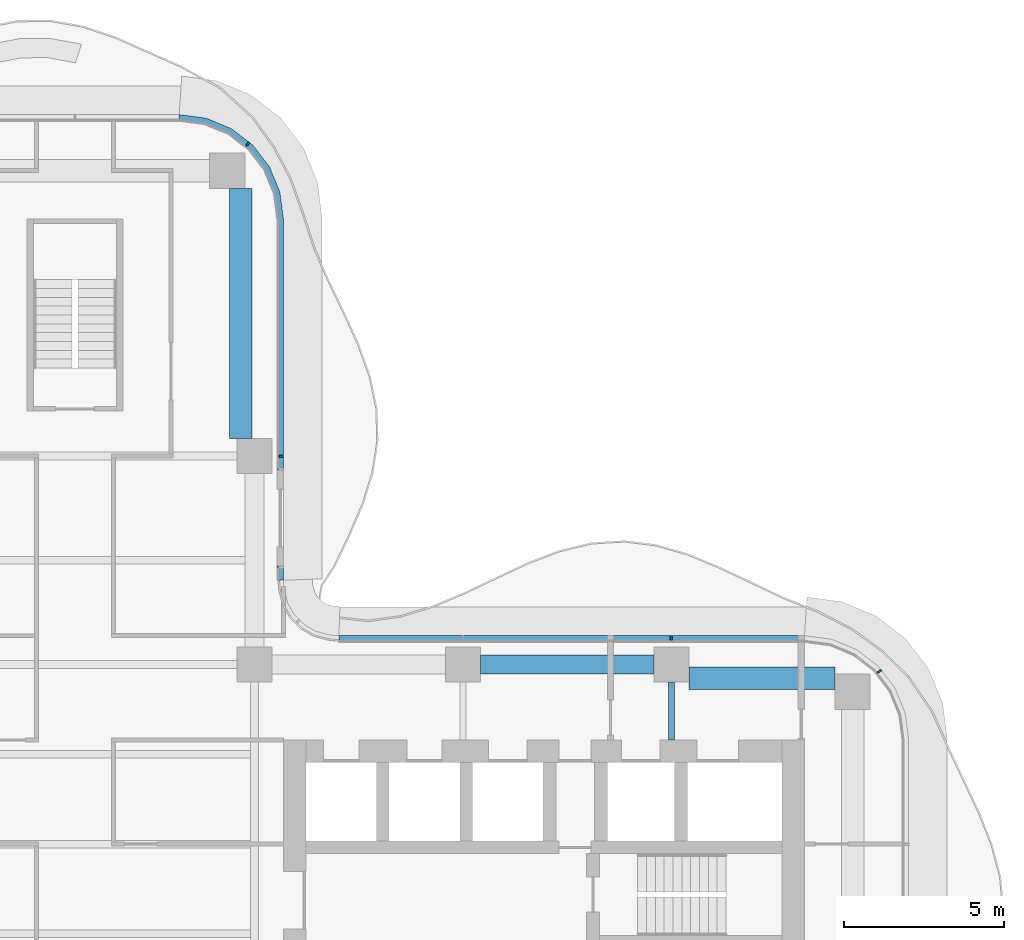
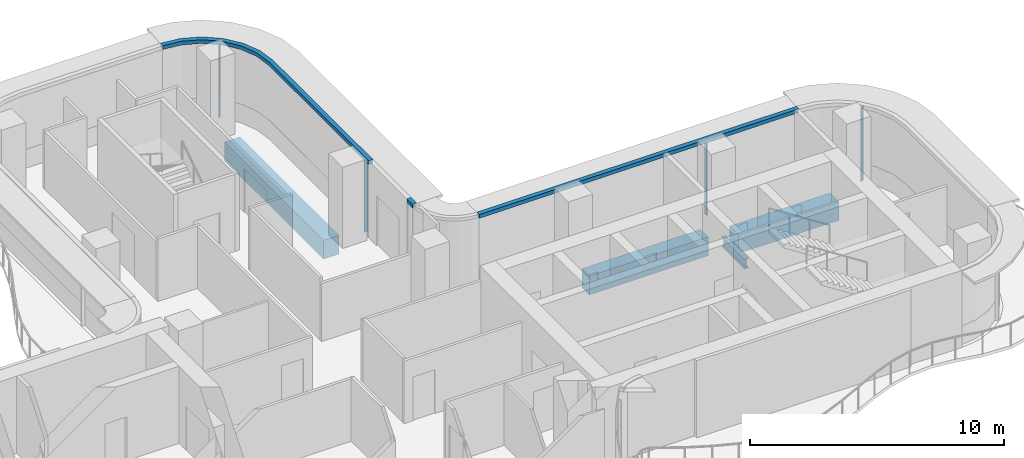
# One storey, part 9 of 18: 7 members, 4 beams, 4 elements without a shape of their own.
"""IFC4 building model written with IfcOpenShell, lengths in metres."""

from ifc_helpers import new_model, si_unit, direction, frame, origin, origin_2d, place, context, subcontext, project, spatial, polyline, rectangle, i_section, outline, extrude, source, transform, mapped, material, layer, layer_set, material_profile, profile_set, type_object, element, aggregate, save


model = new_model("IFC4")

# Units and contexts
model_context = context("Model", 3, precision=1e-05, world=origin(), true_north=direction((0.0, 1.0)))
body_context = subcontext(model_context, "Body", "Model", "MODEL_VIEW")
ifc_project = project(units=[si_unit("LENGTHUNIT", "METRE"), si_unit("AREAUNIT", "SQUARE_METRE"), si_unit("VOLUMEUNIT", "CUBIC_METRE"), si_unit("PLANEANGLEUNIT", "RADIAN"), si_unit("MASSUNIT", "GRAM", prefix="KILO")], contexts=[model_context])

# Site, building, storey
site_placement = place(None, origin())
site = spatial("IfcSite", under=ifc_project, at=site_placement, CompositionType="ELEMENT")
building_placement = place(site_placement, origin())
building = spatial("IfcBuilding", under=site, at=building_placement, Name="Trellis Farm Tower", CompositionType="ELEMENT")
storey_placement = place(building_placement, frame((0.0, 0.0, 224.60009765625)))
storey = spatial("IfcBuildingStorey", under=building, at=storey_placement, Name="L49", CompositionType="ELEMENT", Elevation=224.60009765625)

# Beams
ifc_material_1 = material(Name="Steel S355", Category="steel")
ifc_material_profile_1 = material_profile(ifc_material_1, i_section(OverallWidth=0.1904296875, OverallDepth=0.45703125, WebThickness=0.009033203125, FlangeThickness=0.014404296875, FilletRadius=0.01025390625, at=origin_2d()), Name="UB 457x191x74")
ifc_profile_set_1 = profile_set([ifc_material_profile_1], Name="Steel S355")
beam_type_1 = type_object("IfcBeamType", Name="UB 457x191x74", PredefinedType="BEAM", material=ifc_profile_set_1)
shared_shape_1 = source(origin(), body_context, "Body", "SweptSolid", [
    extrude(i_section(OverallWidth=0.1904296875, OverallDepth=0.45703125, WebThickness=0.009033203125, FlangeThickness=0.014404296875, FilletRadius=0.01025390625, at=origin_2d()), origin(), (0.0, 0.0, 1.0), 1.800048828125),
])
beam_1_placement = place(storey_placement, frame((18.60009765625, 3.25, -0.4287109375), z_axis=(0.0, 1.0, 0.0), x_axis=(-1.0, 0.0, 0.0)))
element("IfcBeam", 1, at=beam_1_placement, inside=storey, type_object=beam_type_1, Name="Girder", PredefinedType="BEAM", context=body_context, shape_type="MappedRepresentation", body=[
    mapped(shared_shape_1, transform((0.0, 0.0, 0.0))),
])
ifc_material_2 = material(Name="Concrete C60/75", Category="concrete")
ifc_material_profile_2 = material_profile(ifc_material_2, rectangle(XDim=0.60009765625, YDim=0.89990234375, at=origin_2d()), Name="RC spandrel beam 600x900 C60/75")
ifc_profile_set_2 = profile_set([ifc_material_profile_2], Name="Concrete C60/75")
beam_type_2 = type_object("IfcBeamType", Name="RC spandrel beam 600x900 C60/75", PredefinedType="SPANDREL", material=ifc_profile_set_2)
shared_shape_2 = source(origin(), body_context, "Body", "SweptSolid", [
    extrude(rectangle(XDim=0.60009765625, YDim=0.89990234375, at=origin_2d()), origin(), (0.0, 0.0, 1.0), 5.400146484375),
])
beam_2_placement = place(storey_placement, frame((12.64990234375, 5.60009765625, -0.650146484375), z_axis=(1.0, 0.0, 0.0), x_axis=(0.0, 1.0, 0.0)))
element("IfcBeam", 2, at=beam_2_placement, inside=storey, type_object=beam_type_2, Name="Girder", PredefinedType="SPANDREL", context=body_context, shape_type="MappedRepresentation", body=[
    mapped(shared_shape_2, transform((0.0, 0.0, 0.0))),
])
ifc_material_profile_3 = material_profile(ifc_material_2, rectangle(XDim=0.699951171875, YDim=0.89990234375, at=origin_2d()), Name="RC spandrel beam 700x900 C60/75")
ifc_profile_set_3 = profile_set([ifc_material_profile_3], Name="Concrete C60/75")
beam_type_3 = type_object("IfcBeamType", Name="RC spandrel beam 700x900 C60/75", PredefinedType="SPANDREL", material=ifc_profile_set_3)
shared_shape_3 = source(origin(), body_context, "Body", "SweptSolid", [
    extrude(rectangle(XDim=0.699951171875, YDim=0.89990234375, at=origin_2d()), origin(), (0.0, 0.0, 1.0), 4.550048828125),
])
beam_3_placement = place(storey_placement, frame((19.14990234375, 5.175048828125, -0.650146484375), z_axis=(1.0, 0.0, 0.0), x_axis=(0.0, 1.0, 0.0)))
element("IfcBeam", 3, at=beam_3_placement, inside=storey, type_object=beam_type_3, Name="Girder", PredefinedType="SPANDREL", context=body_context, shape_type="MappedRepresentation", body=[
    mapped(shared_shape_3, transform((0.0, 0.0, 0.0))),
])
shared_shape_4 = source(origin(), body_context, "Body", "SweptSolid", [
    extrude(rectangle(XDim=0.699951171875, YDim=0.89990234375, at=origin_2d()), origin(), (0.0, 0.0, 1.0), 7.800048828125),
])
beam_4_placement = place(storey_placement, frame((5.175048828125, 12.64990234375, -0.650146484375), z_axis=(0.0, 1.0, 0.0), x_axis=(-1.0, 0.0, 0.0)))
element("IfcBeam", 4, at=beam_4_placement, inside=storey, type_object=beam_type_3, Name="Girder", PredefinedType="SPANDREL", context=body_context, shape_type="MappedRepresentation", body=[
    mapped(shared_shape_4, transform((0.0, 0.0, 0.0))),
])

# Curtain wall, member
ifc_material_3 = material(Name="Aluminium and glass curtain wall", Category="aluminium")
ifc_layer_1 = layer(ifc_material_3, 0.18994140625)
ifc_layer_set_1 = layer_set([ifc_layer_1], Name="RIBBON CURTAIN WALL CW1")
curtain_wall_type = type_object("IfcCurtainWallType", Name="RIBBON CURTAIN WALL CW1", PredefinedType="NOTDEFINED", material=ifc_layer_set_1)
placement_1 = place(storey_placement, origin())
curtain_wall_1 = element("IfcCurtainWall", 5, at=placement_1, inside=storey, type_object=curtain_wall_type, Name="CW1 006", PredefinedType="NOTDEFINED")
ifc_material_4 = material(Name="Aluminium extrusion 6063-T6", Category="aluminium")
ifc_material_profile_4 = material_profile(ifc_material_4, rectangle(XDim=0.06005859375, YDim=0.14990234375, at=origin_2d()), Name="MULLION 60x150")
ifc_profile_set_4 = profile_set([ifc_material_profile_4], Name="Aluminium extrusion 6063-T6")
member_type_1 = type_object("IfcMemberType", Name="CW1 MULLION 60x150", PredefinedType="MULLION", material=ifc_profile_set_4)
shared_shape_5 = source(origin(), body_context, "Body", "SweptSolid", [
    extrude(rectangle(XDim=0.06005859375, YDim=0.14990234375, at=origin_2d()), origin(), (0.0, 0.0, 1.0), 3.52001953125),
])
member_1_placement = place(storey_placement, frame((25.078369140625, 5.385498046875, 0.0), z_axis=(0.0, 0.0, 1.0), x_axis=(-0.608761429009, 0.793353340291, 0.0)))
member_1 = element("IfcMember", 6, at=member_1_placement, type_object=member_type_1, Name="MU1 006-02", PredefinedType="MULLION", context=body_context, shape_type="MappedRepresentation", body=[
    mapped(shared_shape_5, transform((0.0, 0.0, 0.0))),
])
aggregate(curtain_wall_1, [member_1])

curtain_wall_2 = element("IfcCurtainWall", 7, at=placement_1, inside=storey, type_object=curtain_wall_type, Name="CW1 007", PredefinedType="NOTDEFINED")
member_2_placement = place(storey_placement, frame((18.60009765625, 6.425048828125, 0.0), z_axis=(0.0, 0.0, 1.0), x_axis=(-1.0, 0.0, 0.0)))
member_2 = element("IfcMember", 8, at=member_2_placement, type_object=member_type_1, Name="MU1 007-01", PredefinedType="MULLION", context=body_context, shape_type="MappedRepresentation", body=[
    mapped(shared_shape_5, transform((0.0, 0.0, 0.0))),
])

# Curtain wall, members
curtain_wall_3 = element("IfcCurtainWall", 9, at=placement_1, inside=storey, type_object=curtain_wall_type, Name="CW1 009", PredefinedType="NOTDEFINED")
member_3_placement = place(storey_placement, frame((6.425048828125, 12.10009765625, 0.0), z_axis=(0.0, 0.0, 1.0), x_axis=(0.0, 1.0, 0.0)))
member_3 = element("IfcMember", 10, at=member_3_placement, type_object=member_type_1, Name="MU1 009-02", PredefinedType="MULLION", context=body_context, shape_type="MappedRepresentation", body=[
    mapped(shared_shape_5, transform((0.0, 0.0, 0.0))),
])
member_4_placement = place(storey_placement, frame((5.385498046875, 21.828369140625, 0.0), z_axis=(0.0, 0.0, 1.0), x_axis=(-0.793353340291, 0.608761429009, 0.0)))
member_4 = element("IfcMember", 11, at=member_4_placement, type_object=member_type_1, Name="MU1 009-03", PredefinedType="MULLION", context=body_context, shape_type="MappedRepresentation", body=[
    mapped(shared_shape_5, transform((0.0, 0.0, 0.0))),
])

# Member
ifc_layer_2 = layer(ifc_material_4, 0.199951171875)
ifc_layer_set_2 = layer_set([ifc_layer_2], Name="Aluminium extrusion 6063-T6")
member_type_2 = type_object("IfcMemberType", Name="CW1 TRANSOM 200x180", PredefinedType="USERDEFINED", material=ifc_layer_set_2)
shared_shape_6 = source(origin(), body_context, "Body", "SweptSolid", [
    extrude(outline(polyline([(22.75, 6.5), (8.2314453125, 6.5), (8.224853515625, 6.300048828125), (22.73681640625, 6.300048828125), (22.75, 6.5)])), origin(), (0.0, 0.0, 1.0), 0.179931640625),
])
placement_2 = place(storey_placement, frame((0.0, 0.0, 3.52001953125)))
member_5 = element("IfcMember", 12, at=placement_2, type_object=member_type_2, Name="TR1 007", ObjectType="TRANSOM", PredefinedType="USERDEFINED", context=body_context, shape_type="MappedRepresentation", body=[
    mapped(shared_shape_6, transform((0.0, 0.0, 0.0))),
])

aggregate(curtain_wall_2, [member_2, member_5])

# Curtain wall, member
curtain_wall_4 = element("IfcCurtainWall", 13, at=placement_1, inside=storey, type_object=curtain_wall_type, Name="CW1 008", PredefinedType="NOTDEFINED")
shared_shape_7 = source(origin(), body_context, "Body", "SweptSolid", [
    extrude(outline(polyline([(6.5, 8.2314453125), (6.5, 8.665771484375), (6.300048828125, 8.665771484375), (6.300048828125, 8.224853515625), (6.5, 8.2314453125)])), origin(), (0.0, 0.0, 1.0), 0.179931640625),
])
member_6 = element("IfcMember", 14, at=placement_2, type_object=member_type_2, Name="TR1 008", ObjectType="TRANSOM", PredefinedType="USERDEFINED", context=body_context, shape_type="MappedRepresentation", body=[
    mapped(shared_shape_7, transform((0.0, 0.0, 0.0))),
])
aggregate(curtain_wall_4, [member_6])

# Member
shared_shape_8 = source(origin(), body_context, "Body", "SweptSolid", [
    extrude(outline(polyline([(6.5, 11.665771484375), (6.5, 19.5), (6.38916015625, 20.341064453125), (6.064697265625, 21.125), (5.548095703125, 21.798095703125), (4.875, 22.314697265625), (4.091064453125, 22.63916015625), (3.25, 22.75), (3.23681640625, 22.550048828125), (4.0390625, 22.4443359375), (4.774169921875, 22.139892578125), (5.405517578125, 21.655517578125), (5.889892578125, 21.024169921875), (6.1943359375, 20.2890625), (6.300048828125, 19.48681640625), (6.300048828125, 11.665771484375), (6.5, 11.665771484375)])), origin(), (0.0, 0.0, 1.0), 0.179931640625),
])
member_7 = element("IfcMember", 15, at=placement_2, type_object=member_type_2, Name="TR1 009", ObjectType="TRANSOM", PredefinedType="USERDEFINED", context=body_context, shape_type="MappedRepresentation", body=[
    mapped(shared_shape_8, transform((0.0, 0.0, 0.0))),
])

aggregate(curtain_wall_3, [member_3, member_4, member_7])

save(model, "model.ifc")
